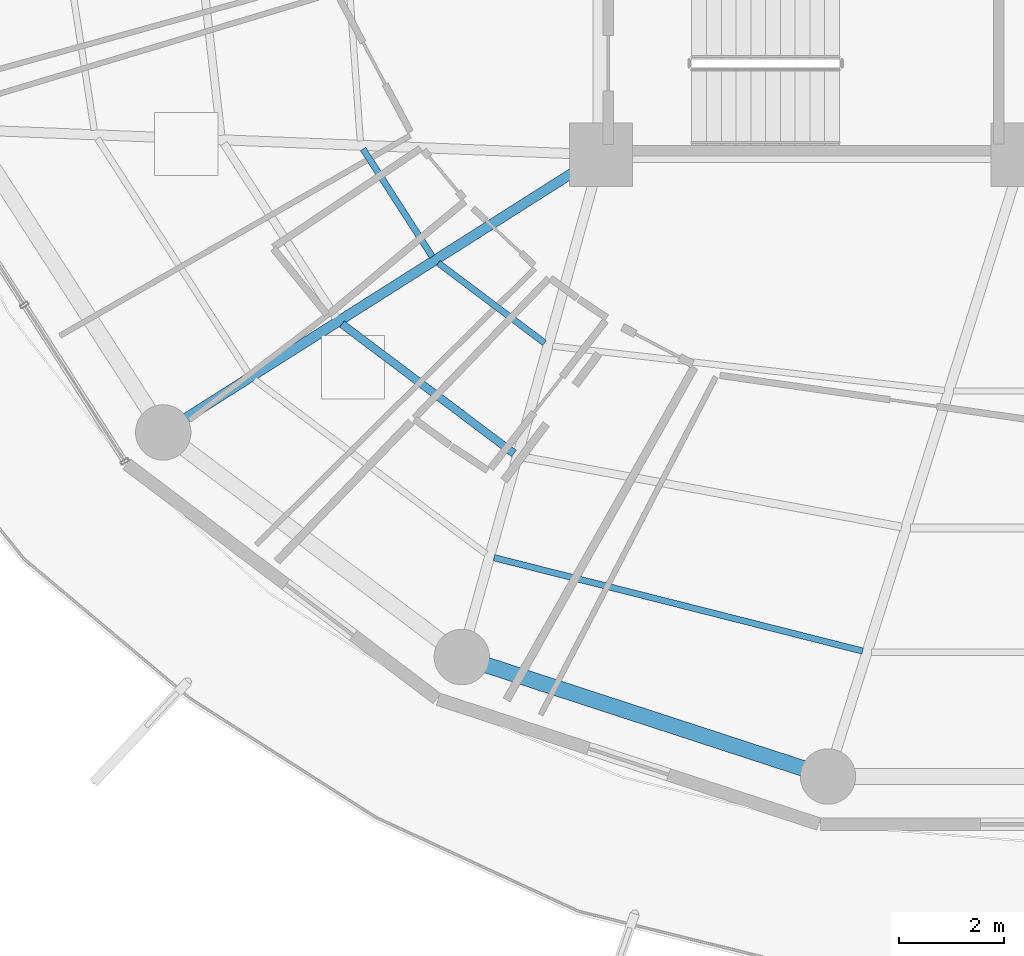
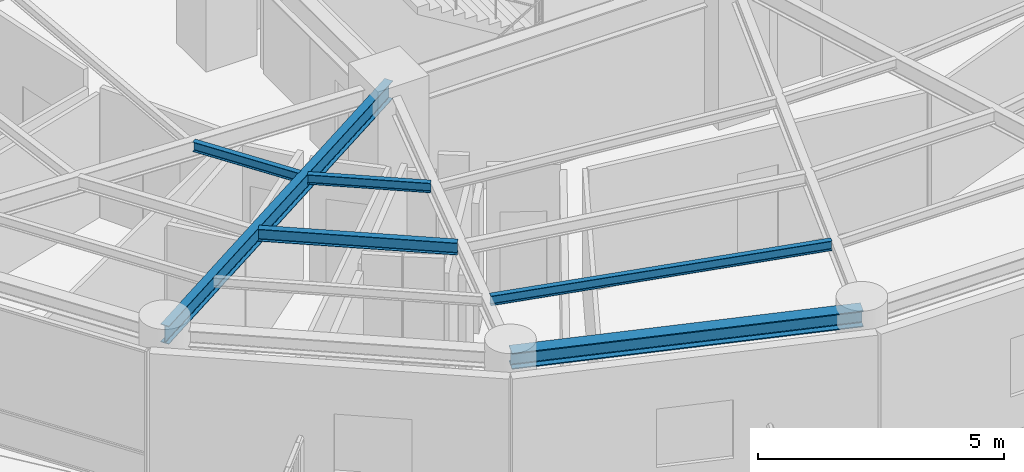
# One storey, part 3 of 30: 6 beams.
"""IFC4 building model written with IfcOpenShell, lengths in metres."""

import ifcopenshell
import ifcopenshell.guid

model = None  # the IFC model being written
_history = None  # IfcOwnerHistory: only IFC2X3 demands one
_inside = {}  # id of a spatial element -> (the spatial element, [elements in it])
_under = {}  # id of a project, library or spatial element -> (it, [spatial elements below it])
_declared = {}  # id of a project -> (the project, [libraries it declares])
_typed = {}  # id of a type object -> (the type object, [elements of that type])
_made_of = {}  # id of a material, layer set ... -> (it, [elements and type objects made of it])


def new_model(schema):
    """Start an empty IFC model of exactly this schema.

    Asked for "IFC4X3", IfcOpenShell would pick the latest addendum, in which some entities
    have other attributes; the version numbers below select the first issue.
    IFC2X3 requires an IfcOwnerHistory on every rooted entity: one is made here for all.
    """
    global model, _history
    if schema == "IFC4X3":
        model = ifcopenshell.file(schema_version=(4, 3, 0, 0))
    else:
        model = ifcopenshell.file(schema=schema)
    _inside.clear()
    _under.clear()
    _declared.clear()
    _typed.clear()
    _made_of.clear()
    _history = None
    if model.schema == "IFC2X3":
        org = make("IfcOrganization", Name="unknown")
        user = make(
            "IfcPersonAndOrganization",
            ThePerson=make("IfcPerson", FamilyName="unknown"),
            TheOrganization=org,
        )
        app = make(
            "IfcApplication",
            ApplicationDeveloper=org,
            Version="unknown",
            ApplicationFullName="unknown",
            ApplicationIdentifier="unknown",
        )
        _history = make(
            "IfcOwnerHistory",
            OwningUser=user,
            OwningApplication=app,
            ChangeAction="ADDED",
            CreationDate=0,
        )
    return model


def make(cls, **values):
    """One entity of the class cls with the attributes given. An attribute that is None is left unset."""
    return model.create_entity(
        cls, **{name: value for name, value in values.items() if value is not None}
    )


def rooted(cls, **values):
    """An entity with a GlobalId (a new one), such as an element, a storey or a relation."""
    return make(cls, GlobalId=ifcopenshell.guid.new(), OwnerHistory=_history, **values)


def si_unit(unit_type, name, prefix=None):
    """IfcSIUnit, for example si_unit("LENGTHUNIT", "METRE", prefix="MILLI")."""
    return make("IfcSIUnit", UnitType=unit_type, Prefix=prefix, Name=name)


def assignment(units):
    """IfcUnitAssignment: the units of a project."""
    return None if units is None else make("IfcUnitAssignment", Units=units)


def point(xyz):
    """IfcCartesianPoint."""
    return None if xyz is None else make("IfcCartesianPoint", Coordinates=xyz)


def direction(xyz):
    """IfcDirection."""
    return None if xyz is None else make("IfcDirection", DirectionRatios=xyz)


def frame(location, z_axis=None, x_axis=None):
    """IfcAxis2Placement3D, a coordinate frame: its origin and axes. An axis left out is left unset."""
    return make(
        "IfcAxis2Placement3D",
        Location=point(location),
        Axis=direction(z_axis),
        RefDirection=direction(x_axis),
    )


def frame_2d(location, x_axis=None):
    """IfcAxis2Placement2D, a coordinate frame in the plane: its origin and x axis."""
    return make(
        "IfcAxis2Placement2D", Location=point(location), RefDirection=direction(x_axis)
    )


def origin():
    """The frame at (0, 0, 0) with its axes left unset."""
    return frame((0.0, 0.0, 0.0))


def origin_2d():
    """The frame at (0, 0) in the plane with its x axis left unset."""
    return frame_2d((0.0, 0.0))


def place(relative_to, where):
    """IfcLocalPlacement: puts the frame where relative to a parent placement (None: the world)."""
    return make(
        "IfcLocalPlacement", PlacementRelTo=relative_to, RelativePlacement=where
    )


def context(
    kind, dimensions, precision=None, world=None, true_north=None, identifier=None
):
    """IfcGeometricRepresentationContext, for example the 3D "Model" context."""
    return make(
        "IfcGeometricRepresentationContext",
        ContextIdentifier=identifier,
        ContextType=kind,
        CoordinateSpaceDimension=dimensions,
        Precision=precision,
        WorldCoordinateSystem=world,
        TrueNorth=true_north,
    )


def subcontext(parent, identifier, kind, view, scale=None):
    """IfcGeometricRepresentationSubContext, for example "Body" below "Model"."""
    return make(
        "IfcGeometricRepresentationSubContext",
        ContextIdentifier=identifier,
        ContextType=kind,
        ParentContext=parent,
        TargetScale=scale,
        TargetView=view,
    )


def project(units=None, contexts=None):
    """IfcProject with its units and contexts."""
    return rooted(
        "IfcProject",
        Name="project",
        RepresentationContexts=contexts,
        UnitsInContext=assignment(units),
    )


def spatial(cls, under=None, at=None, **own):
    """A site, building, storey or space (cls), placed at a placement, below another one or the project."""
    s = rooted(cls, ObjectPlacement=at, **own)
    if under is not None:
        _under.setdefault(under.id(), (under, []))[1].append(s)
    return s


def profile(cls, at=None, kind="AREA", **sizes):
    """A parametric profile (cls). Its sizes go by their IFC names, for example OverallWidth=200.0."""
    return make(cls, ProfileType=kind, Position=at, **sizes)


def i_section(**sizes):
    """IfcIShapeProfileDef."""
    return profile("IfcIShapeProfileDef", **sizes)


def extrude(swept, where, along, depth):
    """IfcExtrudedAreaSolid: the profile swept, set in the frame where, extruded along a direction by depth."""
    return make(
        "IfcExtrudedAreaSolid",
        SweptArea=swept,
        Position=where,
        ExtrudedDirection=direction(along),
        Depth=depth,
    )


def shape(context_of_items, identifier, shape_type, items):
    """IfcShapeRepresentation: the items that make up one representation, for example the "Body"."""
    return make(
        "IfcShapeRepresentation",
        ContextOfItems=context_of_items,
        RepresentationIdentifier=identifier,
        RepresentationType=shape_type,
        Items=items,
    )


def material(Name=None, Category=None):
    """IfcMaterial."""
    return make("IfcMaterial", Name=Name, Category=Category)


def material_profile(
    of_material, cross_section, Name=None, Category=None, Priority=None
):
    """IfcMaterialProfile: a cross section and its material."""
    return make(
        "IfcMaterialProfile",
        Name=Name,
        Material=of_material,
        Profile=cross_section,
        Priority=Priority,
        Category=Category,
    )


def profile_set(profiles, Name=None, composite=None):
    """IfcMaterialProfileSet."""
    return make(
        "IfcMaterialProfileSet",
        Name=Name,
        MaterialProfiles=profiles,
        CompositeProfile=composite,
    )


def made_of(thing, what):
    """Note that an element or type object is made of a material, layer set ...; save() writes the relation."""
    if what is not None:
        _made_of.setdefault(what.id(), (what, []))[1].append(thing)
    return thing


def type_object(cls, material=None, **own):
    """A type object (cls), such as IfcWallType, which elements share."""
    return made_of(rooted(cls, **own), material)


def element(
    cls,
    number,
    at=None,
    inside=None,
    cuts=None,
    type_object=None,
    material=None,
    context=None,
    identifier="Body",
    shape_type=None,
    held_by="IfcProductDefinitionShape",
    body=None,
    shapes=None,
    **own,
):
    """One element of the class cls, such as IfcWall. Its Tag is "e" and its number.

    at: its placement. inside: the storey or other place that contains it. cuts: it is an
    opening in that element (IfcRelVoidsElement). A single representation is given by context,
    identifier, shape_type and body (its items); several are given by shapes. held_by: the class
    of the entity that holds the representations. save() writes the other relations.
    """
    e = rooted(cls, Tag="e%d" % number, ObjectPlacement=at, **own)
    if body is not None:
        shapes = [shape(context, identifier, shape_type, body)]
    if shapes is not None:
        e.Representation = make(held_by, Representations=shapes)
    if inside is not None:
        _inside.setdefault(inside.id(), (inside, []))[1].append(e)
    if cuts is not None:
        rooted(
            "IfcRelVoidsElement", RelatingBuildingElement=cuts, RelatedOpeningElement=e
        )
    if type_object is not None:
        _typed.setdefault(type_object.id(), (type_object, []))[1].append(e)
    return made_of(e, material)


def aggregate(whole, parts):
    """IfcRelAggregates: a whole, such as a stair, and the parts it consists of."""
    return rooted("IfcRelAggregates", RelatingObject=whole, RelatedObjects=parts)


def save(model, path):
    """Write the relations noted so far, then the file.

    IfcRelAggregates (storeys below a building ...), IfcRelContainedInSpatialStructure (elements
    in a storey), IfcRelDefinesByType, IfcRelAssociatesMaterial and IfcRelDeclares: one each for
    every whole, place, type object, material and project.
    """
    for whole, parts in _under.values():
        aggregate(whole, parts)
    for where, things in _inside.values():
        rooted(
            "IfcRelContainedInSpatialStructure",
            RelatedElements=things,
            RelatingStructure=where,
        )
    for kind, things in _typed.values():
        rooted("IfcRelDefinesByType", RelatedObjects=things, RelatingType=kind)
    for what, things in _made_of.values():
        rooted("IfcRelAssociatesMaterial", RelatedObjects=things, RelatingMaterial=what)
    for by, libraries in _declared.values():
        rooted("IfcRelDeclares", RelatingContext=by, RelatedDefinitions=libraries)
    model.write(path)


model = new_model("IFC4")

# Units and contexts
model_context = context("Model", 3, precision=1e-05, world=origin(), true_north=direction((0.0, 1.0)))
body_context = subcontext(model_context, "Body", "Model", "MODEL_VIEW")
ifc_project = project(units=[si_unit("LENGTHUNIT", "METRE"), si_unit("AREAUNIT", "SQUARE_METRE"), si_unit("VOLUMEUNIT", "CUBIC_METRE"), si_unit("PLANEANGLEUNIT", "RADIAN"), si_unit("MASSUNIT", "GRAM", prefix="KILO")], contexts=[model_context])

# Site, building, storey
site_placement = place(None, origin())
site = spatial("IfcSite", under=ifc_project, at=site_placement, CompositionType="ELEMENT")
building_placement = place(site_placement, origin())
building = spatial("IfcBuilding", under=site, at=building_placement, Name="Kelanora Arch Commons", CompositionType="ELEMENT")
storey_placement = place(building_placement, frame((0.0, 0.0, 204.449951171875)))
storey = spatial("IfcBuildingStorey", under=building, at=storey_placement, Name="L52", CompositionType="ELEMENT", Elevation=204.449951171875)

# Beams
ifc_material = material(Name="Steel S355", Category="steel")
ifc_material_profile_1 = material_profile(ifc_material, i_section(OverallWidth=0.14990234375, OverallDepth=0.300048828125, WebThickness=0.007080078125, FlangeThickness=0.0107421875, FilletRadius=0.014892578125, at=origin_2d()), Name="IPE300")
ifc_profile_set_1 = profile_set([ifc_material_profile_1], Name="Steel S355")
beam_type_1 = type_object("IfcBeamType", Name="BM-JST-01", PredefinedType="JOIST", material=ifc_profile_set_1)
beam_1_placement = place(storey_placement, frame((61.087158203125, 47.790283203125, 3.340087890625), z_axis=(0.799101708656, -0.601195857624, 0.0), x_axis=(0.601195857624, 0.799101708656, 0.0)))
element("IfcBeam", 1, at=beam_1_placement, inside=storey, type_object=beam_type_1, Name="Secondary Chord Joist BJB-22 L52", PredefinedType="JOIST", context=body_context, shape_type="SweptSolid", body=[
    extrude(i_section(OverallWidth=0.14990234375, OverallDepth=0.300048828125, WebThickness=0.007080078125, FlangeThickness=0.0107421875, FilletRadius=0.014892578125, at=origin_2d()), origin(), (0.0, 0.0, 1.0), 4.080810546875),
])
ifc_material_profile_2 = material_profile(ifc_material, i_section(OverallWidth=0.1201171875, OverallDepth=0.239990234375, WebThickness=0.006103515625, FlangeThickness=0.009765625, FilletRadius=0.014892578125, at=origin_2d()), Name="IPE240")
ifc_profile_set_2 = profile_set([ifc_material_profile_2], Name="Steel S355")
beam_type_2 = type_object("IfcBeamType", Name="BM-JST-02", PredefinedType="JOIST", material=ifc_profile_set_2)
beam_2_placement = place(storey_placement, frame((61.4873046875, 51.10888671875, 3.3701171875), z_axis=(0.541332763503, -0.840808443796, 0.0), x_axis=(0.840808443796, 0.541332763503, 0.0)))
element("IfcBeam", 2, at=beam_2_placement, inside=storey, type_object=beam_type_2, Name="Secondary Chord Joist BJA-20 L52", PredefinedType="JOIST", context=body_context, shape_type="SweptSolid", body=[
    extrude(i_section(OverallWidth=0.1201171875, OverallDepth=0.239990234375, WebThickness=0.006103515625, FlangeThickness=0.009765625, FilletRadius=0.014892578125, at=origin_2d()), origin(), (0.0, 0.0, 1.0), 2.423583984375),
])
beam_3_placement = place(storey_placement, frame((62.913330078125, 48.948486328125, 3.3701171875), z_axis=(0.79911638933, -0.601176343766, 0.0), x_axis=(0.601176343766, 0.79911638933, 0.0)))
element("IfcBeam", 3, at=beam_3_placement, inside=storey, type_object=beam_type_2, Name="Secondary Chord Joist BJA-22 L52", PredefinedType="JOIST", context=body_context, shape_type="SweptSolid", body=[
    extrude(i_section(OverallWidth=0.1201171875, OverallDepth=0.239990234375, WebThickness=0.006103515625, FlangeThickness=0.009765625, FilletRadius=0.014892578125, at=origin_2d()), origin(), (0.0, 0.0, 1.0), 2.522216796875),
])
beam_4_placement = place(storey_placement, frame((63.970458984375, 43.360107421875, 3.3701171875), z_axis=(0.969370989998, -0.245601066263, 0.0), x_axis=(0.245601066263, 0.969370989998, 0.0)))
element("IfcBeam", 4, at=beam_4_placement, inside=storey, type_object=beam_type_2, Name="Secondary Chord Joist BJC-24 L52", PredefinedType="JOIST", context=body_context, shape_type="SweptSolid", body=[
    extrude(i_section(OverallWidth=0.1201171875, OverallDepth=0.239990234375, WebThickness=0.006103515625, FlangeThickness=0.009765625, FilletRadius=0.014892578125, at=origin_2d()), origin(), (0.0, 0.0, 1.0), 7.2119140625),
])
ifc_material_profile_3 = material_profile(ifc_material, i_section(OverallWidth=0.18994140625, OverallDepth=0.449951171875, WebThickness=0.009521484375, FlangeThickness=0.0146484375, FilletRadius=0.02099609375, at=origin_2d()), Name="IPE450")
ifc_profile_set_3 = profile_set([ifc_material_profile_3], Name="Steel S355")
beam_type_3 = type_object("IfcBeamType", Name="BM-RAD-Z4", PredefinedType="BEAM", material=ifc_profile_set_3)
beam_5_placement = place(storey_placement, frame((66.0, 51.0, 3.26513671875), z_axis=(-0.844507208607, -0.535544185489, 0.0), x_axis=(0.535544185489, -0.844507208607, 0.0)))
element("IfcBeam", 5, at=beam_5_placement, inside=storey, type_object=beam_type_3, Name="Radial Floor Girder BR-22 L52", PredefinedType="BEAM", context=body_context, shape_type="SweptSolid", body=[
    extrude(i_section(OverallWidth=0.18994140625, OverallDepth=0.449951171875, WebThickness=0.009521484375, FlangeThickness=0.0146484375, FilletRadius=0.02099609375, at=origin_2d()), origin(), (0.0, 0.0, 1.0), 9.830078125),
])
ifc_material_profile_4 = material_profile(ifc_material, i_section(OverallWidth=0.300048828125, OverallDepth=0.39990234375, WebThickness=0.013427734375, FlangeThickness=0.02392578125, FilletRadius=0.027099609375, at=origin_2d()), Name="HEB400")
ifc_profile_set_4 = profile_set([ifc_material_profile_4], Name="Steel S355")
beam_type_4 = type_object("IfcBeamType", Name="BM-SPN-Z4", PredefinedType="SPANDREL", material=ifc_profile_set_4)
beam_6_placement = place(storey_placement, frame((63.360107421875, 41.476318359375, 3.2900390625), z_axis=(0.950656361143, -0.310245842872, 0.0), x_axis=(0.310245842872, 0.950656361143, 0.0)))
element("IfcBeam", 6, at=beam_6_placement, inside=storey, type_object=beam_type_4, Name="Perimeter Spandrel Beam BS-24 L52", PredefinedType="SPANDREL", context=body_context, shape_type="SweptSolid", body=[
    extrude(i_section(OverallWidth=0.300048828125, OverallDepth=0.39990234375, WebThickness=0.013427734375, FlangeThickness=0.02392578125, FilletRadius=0.027099609375, at=origin_2d()), origin(), (0.0, 0.0, 1.0), 7.304931640625),
])

save(model, "model.ifc")
